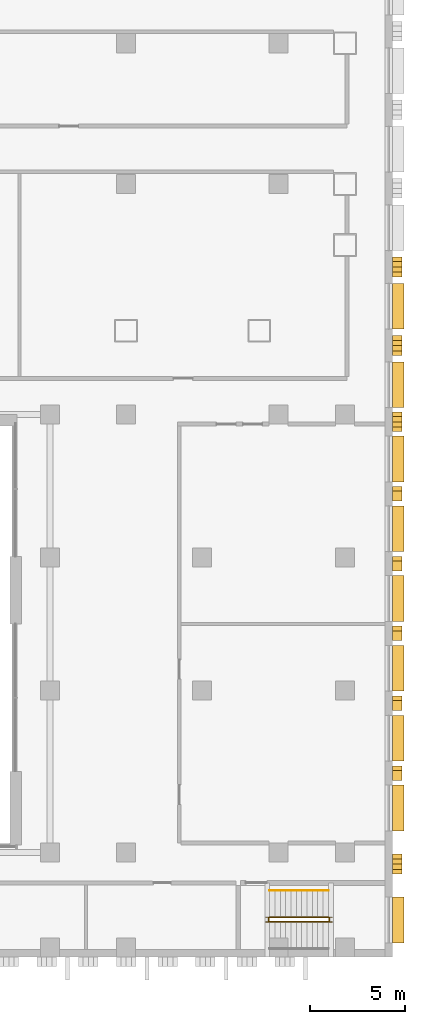
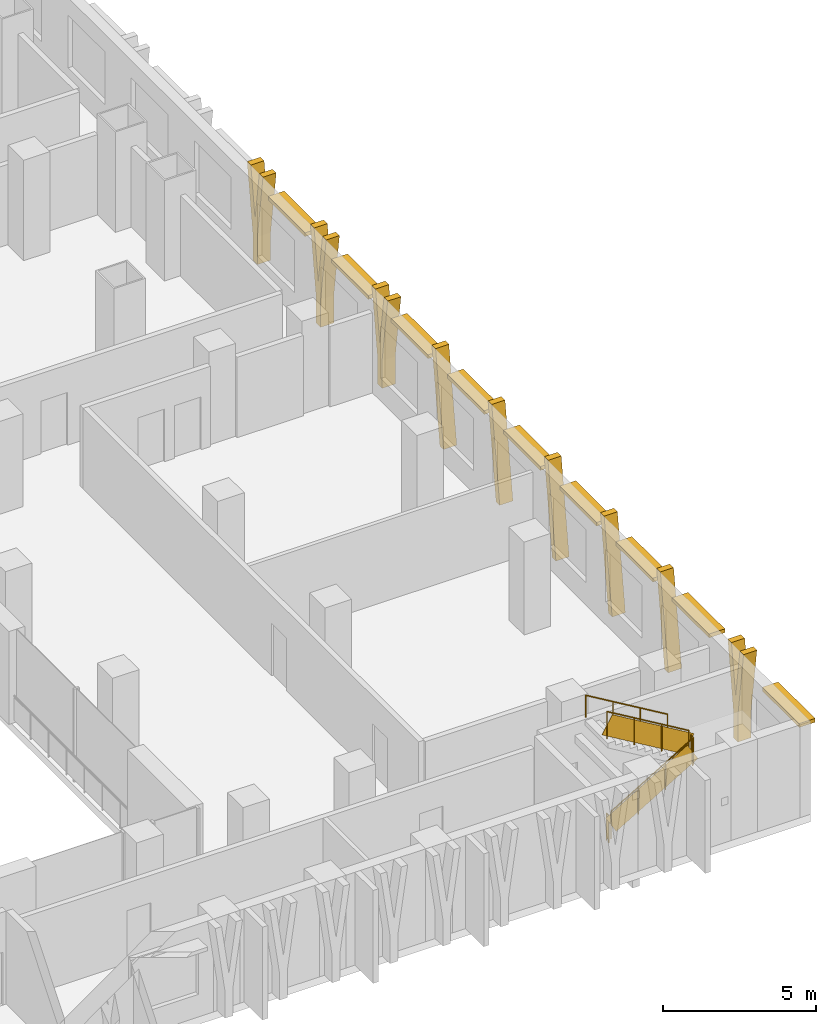
# One storey, part 21 of 24: 18 shading devices, 5 railings.
"""IFC4 building model written with IfcOpenShell, lengths in metres."""

from ifc_helpers import new_model, si_unit, direction, frame, origin, origin_2d, place, context, subcontext, project, spatial, polyline, rectangle, circle, outline, extrude, material, layer, layer_set, type_object, element, save


model = new_model("IFC4")

# Units and contexts
model_context = context("Model", 3, precision=1e-05, world=origin(), true_north=direction((0.0, 1.0)))
body_context = subcontext(model_context, "Body", "Model", "MODEL_VIEW")
ifc_project = project(units=[si_unit("LENGTHUNIT", "METRE"), si_unit("AREAUNIT", "SQUARE_METRE"), si_unit("VOLUMEUNIT", "CUBIC_METRE"), si_unit("PLANEANGLEUNIT", "RADIAN"), si_unit("MASSUNIT", "GRAM", prefix="KILO")], contexts=[model_context])

# Site, building, storey
site_placement = place(None, origin())
site = spatial("IfcSite", under=ifc_project, at=site_placement, CompositionType="ELEMENT")
building_placement = place(site_placement, origin())
building = spatial("IfcBuilding", under=site, at=building_placement, Name="Vidyagriha Tower", CompositionType="ELEMENT")
storey_placement = place(building_placement, frame((0.0, 0.0, 22.0)))
storey = spatial("IfcBuildingStorey", under=building, at=storey_placement, Name="L05", CompositionType="ELEMENT", Elevation=22.0)

# Shading devices
ifc_material_1 = material(Name="Precast concrete C40/50 with brick facing", Category="concrete")
ifc_layer_1 = layer(ifc_material_1, 0.14990234375)
ifc_layer_set_1 = layer_set([ifc_layer_1], Name="Precast concrete C40/50 with brick facing")
shading_device_type_1 = type_object("IfcShadingDeviceType", Name="Brick chhajja window hood", PredefinedType="AWNING", material=ifc_layer_set_1)
for number, where, z_axis, x_axis, name in (
    (1, (40.300048828125, -48.050048828125, 3.0), (0.0, 0.0, 1.0), (0.0, 1.0, 0.0), "Window hood L05 R01.1"),
    (2, (40.300048828125, -42.166748046875, 3.0), (0.0, 0.0, 1.0), (0.0, 1.0, 0.0), "Window hood L05 R01.3"),
    (3, (40.300048828125, -38.5, 3.0), (0.0, 0.0, 1.0), (0.0, 1.0, 0.0), "Window hood L05 R01.4"),
    (4, (40.300048828125, -34.833251953125, 3.0), (0.0, 0.0, 1.0), (0.0, 1.0, 0.0), "Window hood L05 R01.5"),
    (5, (40.300048828125, -31.166748046875, 3.0), (0.0, 0.0, 1.0), (0.0, 1.0, 0.0), "Window hood L05 R01.6"),
    (6, (40.300048828125, -27.5, 3.0), (0.0, 0.0, 1.0), (0.0, 1.0, 0.0), "Window hood L05 R01.7"),
    (7, (40.300048828125, -23.833251953125, 3.0), (0.0, 0.0, 1.0), (0.0, 1.0, 0.0), "Window hood L05 R01.8"),
    (8, (40.300048828125, -19.9375, 3.0), (0.0, 0.0, 1.0), (0.0, 1.0, 0.0), "Window hood L05 R01.9"),
    (9, (40.300048828125, -15.8125, 3.0), (0.0, 0.0, 1.0), (0.0, 1.0, 0.0), "Window hood L05 R01.10"),
):
    element("IfcShadingDevice", number, at=place(storey_placement, frame(where, z_axis=z_axis, x_axis=x_axis)), inside=storey, type_object=shading_device_type_1, Name=name, PredefinedType="AWNING", context=body_context, shape_type="SweptSolid", body=[
        extrude(rectangle(XDim=2.39990234375, YDim=0.60009765625, at=origin_2d()), origin(), (0.0, 0.0, 1.0), 0.14990234375),
    ])
ifc_material_2 = material(Name="Precast concrete C40/50 with buff brick facing", Category="concrete")
ifc_layer_2 = layer(ifc_material_2, 0.300048828125)
ifc_layer_set_2 = layer_set([ifc_layer_2], Name="Precast concrete C40/50 with buff brick facing")
shading_device_type_2 = type_object("IfcShadingDeviceType", Name="Brick-faced podium blade forking 8 degrees", PredefinedType="USERDEFINED", material=ifc_layer_set_2)
for number, where, z_axis, x_axis, name in (
    (10, (40.25, -45.623779296875, 0.0), (0.0, 0.0, 1.0), (0.0, 1.0, 0.0), "Podium blade L05 R01.489"),
    (11, (40.25, -22.40087890625, 0.0), (0.0, 0.0, 1.0), (0.0, 1.0, 0.0), "Podium blade L05 R01.2811"),
    (12, (40.25, -18.390380859375, 0.0), (0.0, 0.0, 1.0), (0.0, 1.0, 0.0), "Podium blade L05 R01.3212"),
    (13, (40.25, -14.265380859375, 0.0), (0.0, 0.0, 1.0), (0.0, 1.0, 0.0), "Podium blade L05 R01.3625"),
):
    element("IfcShadingDevice", number, at=place(storey_placement, frame(where, z_axis=z_axis, x_axis=x_axis)), inside=storey, type_object=shading_device_type_2, Name=name, ObjectType="BLADE FIN", PredefinedType="USERDEFINED", context=body_context, shape_type="SweptSolid", body=[
        extrude(outline(polyline([(0.665283203125, 0.0), (0.665283203125, 1.10009765625), (1.03076171875, 3.699951171875), (0.790771484375, 3.699951171875), (0.515380859375, 1.740478515625), (0.239990234375, 3.699951171875), (0.0, 3.699951171875), (0.365478515625, 1.10009765625), (0.365478515625, 0.0), (0.665283203125, 0.0)])), frame((0.0, 0.25, 0.0), z_axis=(0.0, -1.0, 0.0), x_axis=(1.0, 0.0, 0.0)), (0.0, 0.0, 1.0), 0.5),
    ])
ifc_material_3 = material(Name="Precast concrete C40/50 with buff brick facing", Category="concrete")
ifc_layer_3 = layer(ifc_material_3, 0.239990234375)
ifc_layer_set_3 = layer_set([ifc_layer_3], Name="Precast concrete C40/50 with buff brick facing")
shading_device_type_3 = type_object("IfcShadingDeviceType", Name="Brick-faced podium blade leaning 8 degrees", PredefinedType="USERDEFINED", material=ifc_layer_set_3)
for number, where, z_axis, x_axis, name in (
    (14, (40.25, -40.71337890625, 0.0), (0.0, 0.0, 1.0), (0.0, 1.0, 0.0), "Podium blade L05 R01.967"),
    (15, (40.25, -37.046630859375, 0.0), (0.0, 0.0, 1.0), (0.0, 1.0, 0.0), "Podium blade L05 R01.1333"),
    (16, (40.25, -33.3798828125, 0.0), (0.0, 0.0, 1.0), (0.0, 1.0, 0.0), "Podium blade L05 R01.1700"),
    (17, (40.25, -29.71337890625, 0.0), (0.0, 0.0, 1.0), (0.0, 1.0, 0.0), "Podium blade L05 R01.2067"),
    (18, (40.25, -26.046630859375, 0.0), (0.0, 0.0, 1.0), (0.0, 1.0, 0.0), "Podium blade L05 R01.2433"),
):
    element("IfcShadingDevice", number, at=place(storey_placement, frame(where, z_axis=z_axis, x_axis=x_axis)), inside=storey, type_object=shading_device_type_3, Name=name, ObjectType="BLADE FIN", PredefinedType="USERDEFINED", context=body_context, shape_type="SweptSolid", body=[
        extrude(outline(polyline([(0.0, 0.0), (0.239990234375, 0.0), (0.760009765625, 3.699951171875), (0.52001953125, 3.699951171875), (0.0, 0.0)])), frame((0.0, 0.25, 0.0), z_axis=(0.0, -1.0, 0.0), x_axis=(1.0, 0.0, 0.0)), (0.0, 0.0, 1.0), 0.5),
    ])

# Railings
ifc_material_4 = material(Name="Powder coated ASTM A500 Grade C steel balustrade", Category="steel")
railing_type_1 = type_object("IfcRailingType", Name="Podium Stair Guard 1100", PredefinedType="GUARDRAIL", material=ifc_material_4)
railing_1_placement = place(storey_placement, frame((33.544921875, -48.14990234375, 0.166748046875)))
element("IfcRailing", 19, at=railing_1_placement, inside=storey, type_object=railing_type_1, Name="L05 PS2 stair guard 1", PredefinedType="GUARDRAIL", context=body_context, shape_type="SweptSolid", body=[
    extrude(circle(Radius=0.02392578125, at=origin_2d()), frame((0.0, 0.0, 1.076171875), z_axis=(0.859308565015, 0.0, 0.511457515432), x_axis=(0.0, 1.0, 0.0)), (0.0, 0.0, 1.0), 3.58447265625),
    extrude(circle(Radius=0.02099609375, at=origin_2d()), origin(), (0.0, 0.0, 1.0), 1.052001953125),
    extrude(circle(Radius=0.02099609375, at=origin_2d()), frame((1.026611328125, 0.0, 0.611083984375)), (0.0, 0.0, 1.0), 1.052001953125),
    extrude(circle(Radius=0.02099609375, at=origin_2d()), frame((2.053466796875, 0.0, 1.22216796875)), (0.0, 0.0, 1.0), 1.052001953125),
    extrude(circle(Radius=0.02099609375, at=origin_2d()), frame((3.080078125, 0.0, 1.833251953125)), (0.0, 0.0, 1.0), 1.052001953125),
    extrude(rectangle(XDim=0.010009765625, YDim=0.775146484375, at=origin_2d()), frame((0.0, 0.0, 0.551025390625), z_axis=(0.859308565015, 0.0, 0.511457515432), x_axis=(0.0, 1.0, 0.0)), (0.0, 0.0, 1.0), 3.58447265625),
])
railing_2_placement = place(storey_placement, frame((36.675048828125, -48.10009765625, 2.0)))
element("IfcRailing", 20, at=railing_2_placement, inside=storey, type_object=railing_type_1, Name="L05 PS2 stair guard 2", PredefinedType="GUARDRAIL", context=body_context, shape_type="SweptSolid", body=[
    extrude(circle(Radius=0.02392578125, at=origin_2d()), frame((0.0, 0.0, 1.076171875), z_axis=(0.0, 1.0, 0.0), x_axis=(-1.0, 0.0, 0.0)), (0.0, 0.0, 1.0), 0.150146484375),
    extrude(circle(Radius=0.02099609375, at=origin_2d()), origin(), (0.0, 0.0, 1.0), 1.052001953125),
    extrude(circle(Radius=0.02099609375, at=origin_2d()), frame((0.0, 0.150146484375, 0.0)), (0.0, 0.0, 1.0), 1.052001953125),
    extrude(rectangle(XDim=0.010009765625, YDim=0.902099609375, at=origin_2d()), frame((0.0, 0.0, 0.551025390625), z_axis=(0.0, 1.0, 0.0), x_axis=(-1.0, 0.0, 0.0)), (0.0, 0.0, 1.0), 0.150146484375),
])
railing_3_placement = place(storey_placement, frame((36.625, -47.89990234375, 2.166748046875)))
element("IfcRailing", 21, at=railing_3_placement, inside=storey, type_object=railing_type_1, Name="L05 PS2 stair guard 3", PredefinedType="GUARDRAIL", context=body_context, shape_type="SweptSolid", body=[
    extrude(circle(Radius=0.02392578125, at=origin_2d()), frame((0.0, 0.0, 1.076171875), z_axis=(-0.859308565015, 0.0, 0.511457515432), x_axis=(0.0, -1.0, 0.0)), (0.0, 0.0, 1.0), 3.58447265625),
    extrude(circle(Radius=0.02099609375, at=origin_2d()), origin(), (0.0, 0.0, 1.0), 1.052001953125),
    extrude(circle(Radius=0.02099609375, at=origin_2d()), frame((-1.026611328125, 0.0, 0.611083984375)), (0.0, 0.0, 1.0), 1.052001953125),
    extrude(circle(Radius=0.02099609375, at=origin_2d()), frame((-2.053466796875, 0.0, 1.22216796875)), (0.0, 0.0, 1.0), 1.052001953125),
    extrude(circle(Radius=0.02099609375, at=origin_2d()), frame((-3.080078125, 0.0, 1.833251953125)), (0.0, 0.0, 1.0), 1.052001953125),
    extrude(rectangle(XDim=0.010009765625, YDim=0.775146484375, at=origin_2d()), frame((0.0, 0.0, 0.551025390625), z_axis=(-0.859308565015, 0.0, 0.511457515432), x_axis=(0.0, -1.0, 0.0)), (0.0, 0.0, 1.0), 3.58447265625),
])
railing_4_placement = place(storey_placement, frame((33.4951171875, -48.10009765625, 0.0)))
element("IfcRailing", 22, at=railing_4_placement, inside=storey, type_object=railing_type_1, Name="L05 PS2 stair guard 4", PredefinedType="GUARDRAIL", context=body_context, shape_type="SweptSolid", body=[
    extrude(circle(Radius=0.02392578125, at=origin_2d()), frame((0.0, 0.0, 1.076171875), z_axis=(0.0, 1.0, 0.0), x_axis=(-1.0, 0.0, 0.0)), (0.0, 0.0, 1.0), 0.150146484375),
    extrude(circle(Radius=0.02099609375, at=origin_2d()), origin(), (0.0, 0.0, 1.0), 1.052001953125),
    extrude(circle(Radius=0.02099609375, at=origin_2d()), frame((0.0, 0.150146484375, 0.0)), (0.0, 0.0, 1.0), 1.052001953125),
    extrude(rectangle(XDim=0.010009765625, YDim=0.902099609375, at=origin_2d()), frame((0.0, 0.0, 0.551025390625), z_axis=(0.0, 1.0, 0.0), x_axis=(-1.0, 0.0, 0.0)), (0.0, 0.0, 1.0), 0.150146484375),
])
ifc_material_5 = material(Name="Powder coated ASTM A500 Grade C steel handrail", Category="steel")
railing_type_2 = type_object("IfcRailingType", Name="Podium Stair Handrail 900", PredefinedType="HANDRAIL", material=ifc_material_5)
railing_5_placement = place(storey_placement, frame((36.625, -46.5, 2.166748046875)))
element("IfcRailing", 23, at=railing_5_placement, inside=storey, type_object=railing_type_2, Name="L05 PS2 stair handrail 2", PredefinedType="HANDRAIL", context=body_context, shape_type="SweptSolid", body=[
    extrude(circle(Radius=0.02392578125, at=origin_2d()), frame((0.0, 0.0, 0.8759765625), z_axis=(-0.859308565015, 0.0, 0.511457515432), x_axis=(0.0, -1.0, 0.0)), (0.0, 0.0, 1.0), 3.58447265625),
    extrude(circle(Radius=0.02099609375, at=origin_2d()), origin(), (0.0, 0.0, 1.0), 0.851806640625),
    extrude(circle(Radius=0.02099609375, at=origin_2d()), frame((-1.026611328125, 0.0, 0.611083984375)), (0.0, 0.0, 1.0), 0.851806640625),
    extrude(circle(Radius=0.02099609375, at=origin_2d()), frame((-2.053466796875, 0.0, 1.22216796875)), (0.0, 0.0, 1.0), 0.851806640625),
    extrude(circle(Radius=0.02099609375, at=origin_2d()), frame((-3.080078125, 0.0, 1.833251953125)), (0.0, 0.0, 1.0), 0.851806640625),
])

save(model, "model.ifc")
